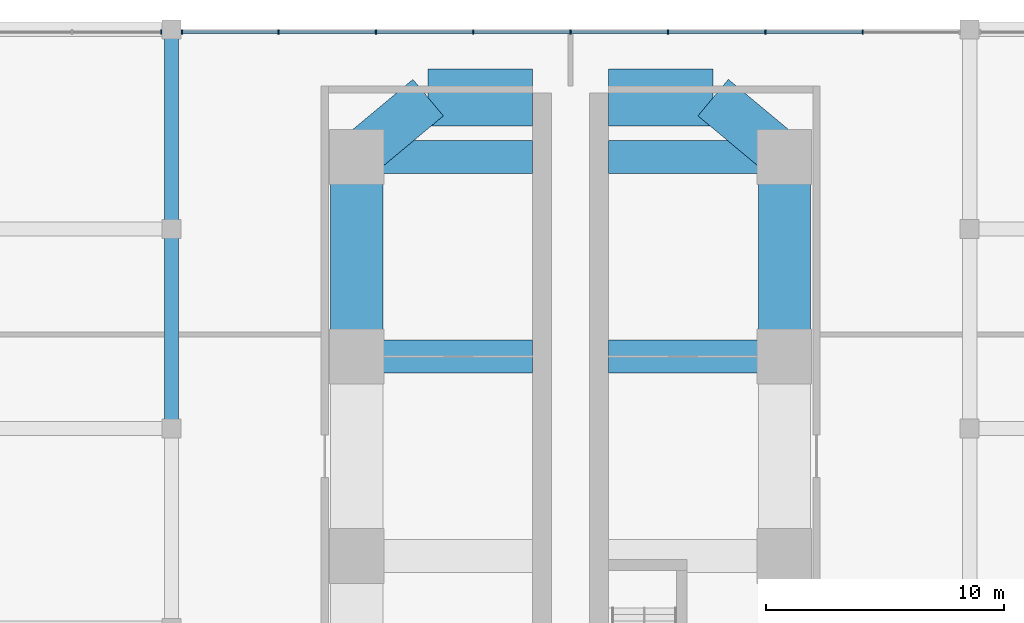
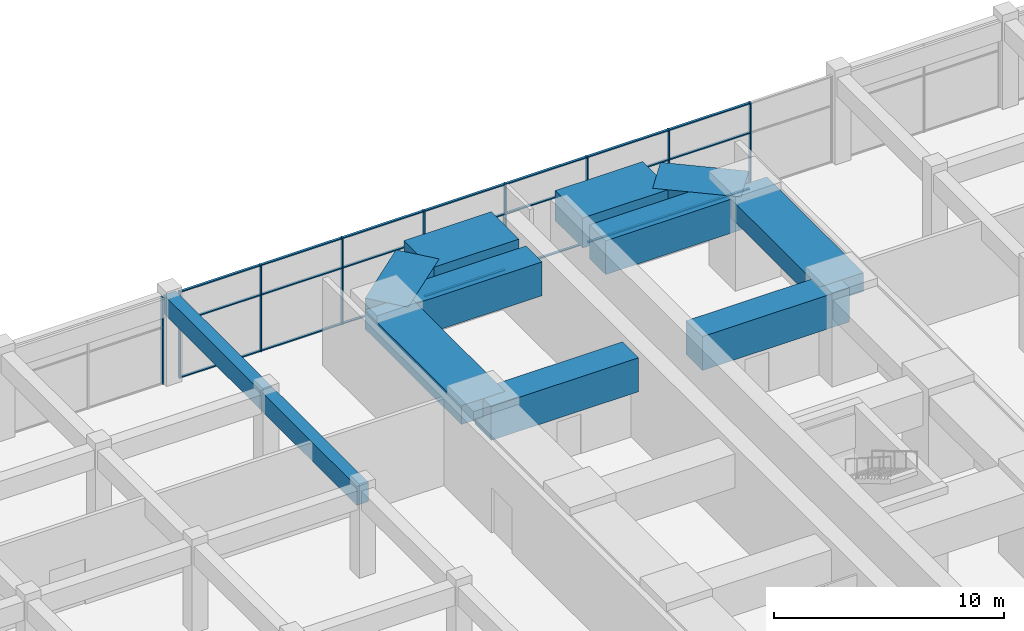
# One storey, part 20 of 33: 30 members, 12 beams, 2 elements without a shape of their own.
"""IFC4 building model written with IfcOpenShell, lengths in metres."""

from ifc_helpers import new_model, si_unit, direction, frame, origin, origin_2d, place, context, subcontext, project, spatial, rectangle, extrude, material, material_profile, profile_set, type_object, element, aggregate, save


model = new_model("IFC4")

# Units and contexts
model_context = context("Model", 3, precision=1e-05, world=origin(), true_north=direction((0.0, 1.0)))
body_context = subcontext(model_context, "Body", "Model", "MODEL_VIEW")
ifc_project = project(units=[si_unit("LENGTHUNIT", "METRE"), si_unit("AREAUNIT", "SQUARE_METRE"), si_unit("VOLUMEUNIT", "CUBIC_METRE"), si_unit("PLANEANGLEUNIT", "RADIAN"), si_unit("MASSUNIT", "GRAM", prefix="KILO")], contexts=[model_context])

# Site, building, storey
site_placement = place(None, origin())
site = spatial("IfcSite", under=ifc_project, at=site_placement, CompositionType="ELEMENT")
building_placement = place(site_placement, origin())
building = spatial("IfcBuilding", under=site, at=building_placement, Name="Impinga Residences", CompositionType="ELEMENT")
storey_placement = place(building_placement, frame((0.0, 0.0, 21.0)))
storey = spatial("IfcBuildingStorey", under=building, at=storey_placement, Name="L04", CompositionType="ELEMENT", Elevation=21.0)

# Beams
ifc_material_1 = material(Name="Concrete C60/75", Category="concrete")
ifc_material_profile_1 = material_profile(ifc_material_1, rectangle(XDim=2.0, YDim=1.60009765625, at=origin_2d()), Name="RC 2000x1600")
ifc_profile_set_1 = profile_set([ifc_material_profile_1], Name="Concrete C60/75")
beam_type_1 = type_object("IfcBeamType", Name="CB2 2000x1600 wing end cantilever beam", PredefinedType="BEAM", material=ifc_profile_set_1)
for number, where, z_axis, x_axis, name in (
    (1, (-9.0, 45.031494140625, 3.800048828125), (0.768221279597, 0.640184399664, 0.0), (-0.640184399664, 0.768221279597, 0.0), "Beam CB2 NB N5-NX level L05"),
    (2, (9.0, 45.031494140625, 3.800048828125), (-0.768221279597, 0.640184399664, 0.0), (-0.640184399664, -0.768221279597, 0.0), "Beam CB2 NE N5-NX level L05"),
):
    element("IfcBeam", number, at=place(storey_placement, frame(where, z_axis=z_axis, x_axis=x_axis)), inside=storey, type_object=beam_type_1, Name=name, PredefinedType="BEAM", context=body_context, shape_type="SweptSolid", body=[
        extrude(rectangle(XDim=2.0, YDim=1.60009765625, at=origin_2d()), origin(), (0.0, 0.0, 1.0), 3.905029296875),
    ])
ifc_material_profile_2 = material_profile(ifc_material_1, rectangle(XDim=1.39990234375, YDim=1.800048828125, at=origin_2d()), Name="RC 1400x1800")
ifc_profile_set_2 = profile_set([ifc_material_profile_2], Name="Concrete C60/75")
beam_type_2 = type_object("IfcBeamType", Name="CG4 1400x1800 cross girder on a wing bay line under the podium floors", PredefinedType="BEAM", material=ifc_profile_set_2)
for number, where, z_axis, x_axis, name in (
    (3, (-1.60009765625, 36.631591796875, 3.699951171875), (-1.0, 0.0, 0.0), (0.0, -1.0, 0.0), "Beam CG4 N4 NC/NA level L05"),
    (4, (-1.60009765625, 45.031494140625, 3.699951171875), (-1.0, 0.0, 0.0), (0.0, -1.0, 0.0), "Beam CG4 N5 NC/NA level L05"),
    (5, (1.60009765625, 36.631591796875, 3.699951171875), (1.0, 0.0, 0.0), (0.0, 1.0, 0.0), "Beam CG4 N4 NC/NF level L05"),
    (6, (1.60009765625, 45.031494140625, 3.699951171875), (1.0, 0.0, 0.0), (0.0, 1.0, 0.0), "Beam CG4 N5 NC/NF level L05"),
):
    element("IfcBeam", number, at=place(storey_placement, frame(where, z_axis=z_axis, x_axis=x_axis)), inside=storey, type_object=beam_type_2, Name=name, PredefinedType="BEAM", context=body_context, shape_type="SweptSolid", body=[
        extrude(rectangle(XDim=1.39990234375, YDim=1.800048828125, at=origin_2d()), origin(), (0.0, 0.0, 1.0), 7.39990234375),
    ])

# Curtain wall, member
ifc_material_2 = material(Name="Aluminium stick curtain wall", Category="aluminium")
curtain_wall_type = type_object("IfcCurtainWallType", Name="CW1 podium amenity curtain wall", PredefinedType="USERDEFINED", material=ifc_material_2)
curtain_wall_1_placement = place(storey_placement, origin())
curtain_wall_1 = element("IfcCurtainWall", 7, at=curtain_wall_1_placement, inside=storey, type_object=curtain_wall_type, Name="Curtain wall CW1 L04", ObjectType="STICK CURTAIN WALL", PredefinedType="USERDEFINED")
ifc_material_3 = material(Name="Aluminium mullion", Category="aluminium")
ifc_material_profile_3 = material_profile(ifc_material_3, rectangle(XDim=0.06005859375, YDim=0.179931640625, at=origin_2d()), Name="60x180 mullion")
ifc_profile_set_3 = profile_set([ifc_material_profile_3], Name="Aluminium mullion")
member_type_1 = type_object("IfcMemberType", Name="CW1-M mullion 60x180", PredefinedType="MULLION", material=ifc_profile_set_3)
member_1_placement = place(storey_placement, frame((-17.23291015625, 50.300048828125, 0.0), z_axis=(0.0, 0.0, 1.0), x_axis=(1.0, 0.0, 0.0)))
member_1 = element("IfcMember", 8, at=member_1_placement, type_object=member_type_1, Name="CW1 mullion 3", PredefinedType="MULLION", context=body_context, shape_type="SweptSolid", body=[
    extrude(rectangle(XDim=0.06005859375, YDim=0.179931640625, at=origin_2d()), origin(), (0.0, 0.0, 1.0), 4.60009765625),
])
aggregate(curtain_wall_1, [member_1])

# Curtain wall, members
curtain_wall_2_placement = place(storey_placement, origin())
curtain_wall_2 = element("IfcCurtainWall", 9, at=curtain_wall_2_placement, inside=storey, type_object=curtain_wall_type, Name="Curtain wall CW1 L04", ObjectType="STICK CURTAIN WALL", PredefinedType="USERDEFINED")
member_2_placement = place(storey_placement, frame((-16.366943359375, 50.300048828125, 0.0), z_axis=(0.0, 0.0, 1.0), x_axis=(1.0, 0.0, 0.0)))
member_2 = element("IfcMember", 10, at=member_2_placement, type_object=member_type_1, Name="CW1 mullion 1", PredefinedType="MULLION", context=body_context, shape_type="SweptSolid", body=[
    extrude(rectangle(XDim=0.06005859375, YDim=0.179931640625, at=origin_2d()), origin(), (0.0, 0.0, 1.0), 4.60009765625),
])
member_3_placement = place(storey_placement, frame((-12.2978515625, 50.300048828125, 0.0), z_axis=(0.0, 0.0, 1.0), x_axis=(1.0, 0.0, 0.0)))
member_3 = element("IfcMember", 11, at=member_3_placement, type_object=member_type_1, Name="CW1 mullion 2", PredefinedType="MULLION", context=body_context, shape_type="SweptSolid", body=[
    extrude(rectangle(XDim=0.06005859375, YDim=0.179931640625, at=origin_2d()), origin(), (0.0, 0.0, 1.0), 4.60009765625),
])
member_4_placement = place(storey_placement, frame((-8.198486328125, 50.300048828125, 0.0), z_axis=(0.0, 0.0, 1.0), x_axis=(1.0, 0.0, 0.0)))
member_4 = element("IfcMember", 12, at=member_4_placement, type_object=member_type_1, Name="CW1 mullion 3", PredefinedType="MULLION", context=body_context, shape_type="SweptSolid", body=[
    extrude(rectangle(XDim=0.06005859375, YDim=0.179931640625, at=origin_2d()), origin(), (0.0, 0.0, 1.0), 4.60009765625),
])
member_5_placement = place(storey_placement, frame((-4.099365234375, 50.300048828125, 0.0), z_axis=(0.0, 0.0, 1.0), x_axis=(1.0, 0.0, 0.0)))
member_5 = element("IfcMember", 13, at=member_5_placement, type_object=member_type_1, Name="CW1 mullion 4", PredefinedType="MULLION", context=body_context, shape_type="SweptSolid", body=[
    extrude(rectangle(XDim=0.06005859375, YDim=0.179931640625, at=origin_2d()), origin(), (0.0, 0.0, 1.0), 4.60009765625),
])
member_6_placement = place(storey_placement, frame((0.0, 50.300048828125, 0.0), z_axis=(0.0, 0.0, 1.0), x_axis=(1.0, 0.0, 0.0)))
member_6 = element("IfcMember", 14, at=member_6_placement, type_object=member_type_1, Name="CW1 mullion 5", PredefinedType="MULLION", context=body_context, shape_type="SweptSolid", body=[
    extrude(rectangle(XDim=0.06005859375, YDim=0.179931640625, at=origin_2d()), origin(), (0.0, 0.0, 1.0), 4.60009765625),
])
member_7_placement = place(storey_placement, frame((4.099365234375, 50.300048828125, 0.0), z_axis=(0.0, 0.0, 1.0), x_axis=(1.0, 0.0, 0.0)))
member_7 = element("IfcMember", 15, at=member_7_placement, type_object=member_type_1, Name="CW1 mullion 6", PredefinedType="MULLION", context=body_context, shape_type="SweptSolid", body=[
    extrude(rectangle(XDim=0.06005859375, YDim=0.179931640625, at=origin_2d()), origin(), (0.0, 0.0, 1.0), 4.60009765625),
])
member_8_placement = place(storey_placement, frame((8.198486328125, 50.300048828125, 0.0), z_axis=(0.0, 0.0, 1.0), x_axis=(1.0, 0.0, 0.0)))
member_8 = element("IfcMember", 16, at=member_8_placement, type_object=member_type_1, Name="CW1 mullion 7", PredefinedType="MULLION", context=body_context, shape_type="SweptSolid", body=[
    extrude(rectangle(XDim=0.06005859375, YDim=0.179931640625, at=origin_2d()), origin(), (0.0, 0.0, 1.0), 4.60009765625),
])
member_9_placement = place(storey_placement, frame((12.2978515625, 50.300048828125, 0.0), z_axis=(0.0, 0.0, 1.0), x_axis=(1.0, 0.0, 0.0)))
member_9 = element("IfcMember", 17, at=member_9_placement, type_object=member_type_1, Name="CW1 mullion 8", PredefinedType="MULLION", context=body_context, shape_type="SweptSolid", body=[
    extrude(rectangle(XDim=0.06005859375, YDim=0.179931640625, at=origin_2d()), origin(), (0.0, 0.0, 1.0), 4.60009765625),
])
ifc_material_4 = material(Name="Aluminium transom", Category="aluminium")
ifc_material_profile_4 = material_profile(ifc_material_4, rectangle(XDim=0.06005859375, YDim=0.1201171875, at=origin_2d()), Name="60x120 transom")
ifc_profile_set_4 = profile_set([ifc_material_profile_4], Name="Aluminium transom")
member_type_2 = type_object("IfcMemberType", Name="CW1-T transom 60x120", PredefinedType="USERDEFINED", material=ifc_profile_set_4)
member_10_placement = place(storey_placement, frame((-16.3369140625, 50.300048828125, 0.030029296875), z_axis=(1.0, 0.0, 0.0), x_axis=(0.0, 0.0, 1.0)))
member_10 = element("IfcMember", 18, at=member_10_placement, type_object=member_type_2, Name="CW1 transom 1.1", ObjectType="TRANSOM", PredefinedType="USERDEFINED", context=body_context, shape_type="SweptSolid", body=[
    extrude(rectangle(XDim=0.06005859375, YDim=0.1201171875, at=origin_2d()), origin(), (0.0, 0.0, 1.0), 4.00927734375),
])
member_11_placement = place(storey_placement, frame((-16.3369140625, 50.300048828125, 3.0), z_axis=(1.0, 0.0, 0.0), x_axis=(0.0, 0.0, 1.0)))
member_11 = element("IfcMember", 19, at=member_11_placement, type_object=member_type_2, Name="CW1 transom 1.2", ObjectType="TRANSOM", PredefinedType="USERDEFINED", context=body_context, shape_type="SweptSolid", body=[
    extrude(rectangle(XDim=0.06005859375, YDim=0.1201171875, at=origin_2d()), origin(), (0.0, 0.0, 1.0), 4.00927734375),
])
member_12_placement = place(storey_placement, frame((-16.3369140625, 50.300048828125, 4.570068359375), z_axis=(1.0, 0.0, 0.0), x_axis=(0.0, 0.0, 1.0)))
member_12 = element("IfcMember", 20, at=member_12_placement, type_object=member_type_2, Name="CW1 transom 1.3", ObjectType="TRANSOM", PredefinedType="USERDEFINED", context=body_context, shape_type="SweptSolid", body=[
    extrude(rectangle(XDim=0.06005859375, YDim=0.1201171875, at=origin_2d()), origin(), (0.0, 0.0, 1.0), 4.00927734375),
])
member_13_placement = place(storey_placement, frame((-12.267822265625, 50.300048828125, 0.030029296875), z_axis=(1.0, 0.0, 0.0), x_axis=(0.0, 0.0, 1.0)))
member_13 = element("IfcMember", 21, at=member_13_placement, type_object=member_type_2, Name="CW1 transom 2.1", ObjectType="TRANSOM", PredefinedType="USERDEFINED", context=body_context, shape_type="SweptSolid", body=[
    extrude(rectangle(XDim=0.06005859375, YDim=0.1201171875, at=origin_2d()), origin(), (0.0, 0.0, 1.0), 4.039306640625),
])
member_14_placement = place(storey_placement, frame((-12.267822265625, 50.300048828125, 3.0), z_axis=(1.0, 0.0, 0.0), x_axis=(0.0, 0.0, 1.0)))
member_14 = element("IfcMember", 22, at=member_14_placement, type_object=member_type_2, Name="CW1 transom 2.2", ObjectType="TRANSOM", PredefinedType="USERDEFINED", context=body_context, shape_type="SweptSolid", body=[
    extrude(rectangle(XDim=0.06005859375, YDim=0.1201171875, at=origin_2d()), origin(), (0.0, 0.0, 1.0), 4.039306640625),
])
member_15_placement = place(storey_placement, frame((-12.267822265625, 50.300048828125, 4.570068359375), z_axis=(1.0, 0.0, 0.0), x_axis=(0.0, 0.0, 1.0)))
member_15 = element("IfcMember", 23, at=member_15_placement, type_object=member_type_2, Name="CW1 transom 2.3", ObjectType="TRANSOM", PredefinedType="USERDEFINED", context=body_context, shape_type="SweptSolid", body=[
    extrude(rectangle(XDim=0.06005859375, YDim=0.1201171875, at=origin_2d()), origin(), (0.0, 0.0, 1.0), 4.039306640625),
])
member_16_placement = place(storey_placement, frame((-8.16845703125, 50.300048828125, 0.030029296875), z_axis=(1.0, 0.0, 0.0), x_axis=(0.0, 0.0, 1.0)))
member_16 = element("IfcMember", 24, at=member_16_placement, type_object=member_type_2, Name="CW1 transom 3.1", ObjectType="TRANSOM", PredefinedType="USERDEFINED", context=body_context, shape_type="SweptSolid", body=[
    extrude(rectangle(XDim=0.06005859375, YDim=0.1201171875, at=origin_2d()), origin(), (0.0, 0.0, 1.0), 4.039306640625),
])
member_17_placement = place(storey_placement, frame((-8.16845703125, 50.300048828125, 3.0), z_axis=(1.0, 0.0, 0.0), x_axis=(0.0, 0.0, 1.0)))
member_17 = element("IfcMember", 25, at=member_17_placement, type_object=member_type_2, Name="CW1 transom 3.2", ObjectType="TRANSOM", PredefinedType="USERDEFINED", context=body_context, shape_type="SweptSolid", body=[
    extrude(rectangle(XDim=0.06005859375, YDim=0.1201171875, at=origin_2d()), origin(), (0.0, 0.0, 1.0), 4.039306640625),
])
member_18_placement = place(storey_placement, frame((-8.16845703125, 50.300048828125, 4.570068359375), z_axis=(1.0, 0.0, 0.0), x_axis=(0.0, 0.0, 1.0)))
member_18 = element("IfcMember", 26, at=member_18_placement, type_object=member_type_2, Name="CW1 transom 3.3", ObjectType="TRANSOM", PredefinedType="USERDEFINED", context=body_context, shape_type="SweptSolid", body=[
    extrude(rectangle(XDim=0.06005859375, YDim=0.1201171875, at=origin_2d()), origin(), (0.0, 0.0, 1.0), 4.039306640625),
])
member_19_placement = place(storey_placement, frame((-4.0693359375, 50.300048828125, 0.030029296875), z_axis=(1.0, 0.0, 0.0), x_axis=(0.0, 0.0, 1.0)))
member_19 = element("IfcMember", 27, at=member_19_placement, type_object=member_type_2, Name="CW1 transom 4.1", ObjectType="TRANSOM", PredefinedType="USERDEFINED", context=body_context, shape_type="SweptSolid", body=[
    extrude(rectangle(XDim=0.06005859375, YDim=0.1201171875, at=origin_2d()), origin(), (0.0, 0.0, 1.0), 4.039306640625),
])
member_20_placement = place(storey_placement, frame((-4.0693359375, 50.300048828125, 3.0), z_axis=(1.0, 0.0, 0.0), x_axis=(0.0, 0.0, 1.0)))
member_20 = element("IfcMember", 28, at=member_20_placement, type_object=member_type_2, Name="CW1 transom 4.2", ObjectType="TRANSOM", PredefinedType="USERDEFINED", context=body_context, shape_type="SweptSolid", body=[
    extrude(rectangle(XDim=0.06005859375, YDim=0.1201171875, at=origin_2d()), origin(), (0.0, 0.0, 1.0), 4.039306640625),
])
member_21_placement = place(storey_placement, frame((-4.0693359375, 50.300048828125, 4.570068359375), z_axis=(1.0, 0.0, 0.0), x_axis=(0.0, 0.0, 1.0)))
member_21 = element("IfcMember", 29, at=member_21_placement, type_object=member_type_2, Name="CW1 transom 4.3", ObjectType="TRANSOM", PredefinedType="USERDEFINED", context=body_context, shape_type="SweptSolid", body=[
    extrude(rectangle(XDim=0.06005859375, YDim=0.1201171875, at=origin_2d()), origin(), (0.0, 0.0, 1.0), 4.039306640625),
])
member_22_placement = place(storey_placement, frame((0.030029296875, 50.300048828125, 0.030029296875), z_axis=(1.0, 0.0, 0.0), x_axis=(0.0, 0.0, 1.0)))
member_22 = element("IfcMember", 30, at=member_22_placement, type_object=member_type_2, Name="CW1 transom 5.1", ObjectType="TRANSOM", PredefinedType="USERDEFINED", context=body_context, shape_type="SweptSolid", body=[
    extrude(rectangle(XDim=0.06005859375, YDim=0.1201171875, at=origin_2d()), origin(), (0.0, 0.0, 1.0), 4.039306640625),
])
member_23_placement = place(storey_placement, frame((0.030029296875, 50.300048828125, 3.0), z_axis=(1.0, 0.0, 0.0), x_axis=(0.0, 0.0, 1.0)))
member_23 = element("IfcMember", 31, at=member_23_placement, type_object=member_type_2, Name="CW1 transom 5.2", ObjectType="TRANSOM", PredefinedType="USERDEFINED", context=body_context, shape_type="SweptSolid", body=[
    extrude(rectangle(XDim=0.06005859375, YDim=0.1201171875, at=origin_2d()), origin(), (0.0, 0.0, 1.0), 4.039306640625),
])
member_24_placement = place(storey_placement, frame((0.030029296875, 50.300048828125, 4.570068359375), z_axis=(1.0, 0.0, 0.0), x_axis=(0.0, 0.0, 1.0)))
member_24 = element("IfcMember", 32, at=member_24_placement, type_object=member_type_2, Name="CW1 transom 5.3", ObjectType="TRANSOM", PredefinedType="USERDEFINED", context=body_context, shape_type="SweptSolid", body=[
    extrude(rectangle(XDim=0.06005859375, YDim=0.1201171875, at=origin_2d()), origin(), (0.0, 0.0, 1.0), 4.039306640625),
])
member_25_placement = place(storey_placement, frame((4.129150390625, 50.300048828125, 0.030029296875), z_axis=(1.0, 0.0, 0.0), x_axis=(0.0, 0.0, 1.0)))
member_25 = element("IfcMember", 33, at=member_25_placement, type_object=member_type_2, Name="CW1 transom 6.1", ObjectType="TRANSOM", PredefinedType="USERDEFINED", context=body_context, shape_type="SweptSolid", body=[
    extrude(rectangle(XDim=0.06005859375, YDim=0.1201171875, at=origin_2d()), origin(), (0.0, 0.0, 1.0), 4.039306640625),
])
member_26_placement = place(storey_placement, frame((4.129150390625, 50.300048828125, 3.0), z_axis=(1.0, 0.0, 0.0), x_axis=(0.0, 0.0, 1.0)))
member_26 = element("IfcMember", 34, at=member_26_placement, type_object=member_type_2, Name="CW1 transom 6.2", ObjectType="TRANSOM", PredefinedType="USERDEFINED", context=body_context, shape_type="SweptSolid", body=[
    extrude(rectangle(XDim=0.06005859375, YDim=0.1201171875, at=origin_2d()), origin(), (0.0, 0.0, 1.0), 4.039306640625),
])
member_27_placement = place(storey_placement, frame((4.129150390625, 50.300048828125, 4.570068359375), z_axis=(1.0, 0.0, 0.0), x_axis=(0.0, 0.0, 1.0)))
member_27 = element("IfcMember", 35, at=member_27_placement, type_object=member_type_2, Name="CW1 transom 6.3", ObjectType="TRANSOM", PredefinedType="USERDEFINED", context=body_context, shape_type="SweptSolid", body=[
    extrude(rectangle(XDim=0.06005859375, YDim=0.1201171875, at=origin_2d()), origin(), (0.0, 0.0, 1.0), 4.039306640625),
])
member_28_placement = place(storey_placement, frame((8.228515625, 50.300048828125, 0.030029296875), z_axis=(1.0, 0.0, 0.0), x_axis=(0.0, 0.0, 1.0)))
member_28 = element("IfcMember", 36, at=member_28_placement, type_object=member_type_2, Name="CW1 transom 7.1", ObjectType="TRANSOM", PredefinedType="USERDEFINED", context=body_context, shape_type="SweptSolid", body=[
    extrude(rectangle(XDim=0.06005859375, YDim=0.1201171875, at=origin_2d()), origin(), (0.0, 0.0, 1.0), 4.039306640625),
])
member_29_placement = place(storey_placement, frame((8.228515625, 50.300048828125, 3.0), z_axis=(1.0, 0.0, 0.0), x_axis=(0.0, 0.0, 1.0)))
member_29 = element("IfcMember", 37, at=member_29_placement, type_object=member_type_2, Name="CW1 transom 7.2", ObjectType="TRANSOM", PredefinedType="USERDEFINED", context=body_context, shape_type="SweptSolid", body=[
    extrude(rectangle(XDim=0.06005859375, YDim=0.1201171875, at=origin_2d()), origin(), (0.0, 0.0, 1.0), 4.039306640625),
])
member_30_placement = place(storey_placement, frame((8.228515625, 50.300048828125, 4.570068359375), z_axis=(1.0, 0.0, 0.0), x_axis=(0.0, 0.0, 1.0)))
member_30 = element("IfcMember", 38, at=member_30_placement, type_object=member_type_2, Name="CW1 transom 7.3", ObjectType="TRANSOM", PredefinedType="USERDEFINED", context=body_context, shape_type="SweptSolid", body=[
    extrude(rectangle(XDim=0.06005859375, YDim=0.1201171875, at=origin_2d()), origin(), (0.0, 0.0, 1.0), 4.039306640625),
])
aggregate(curtain_wall_2, [member_2, member_3, member_4, member_5, member_6, member_7, member_8, member_9, member_10, member_11, member_12, member_13, member_14, member_15, member_16, member_17, member_18, member_19, member_20, member_21, member_22, member_23, member_24, member_25, member_26, member_27, member_28, member_29, member_30])

# Beams
ifc_material_profile_5 = material_profile(ifc_material_1, rectangle(XDim=2.39990234375, YDim=1.60009765625, at=origin_2d()), Name="RC 2400x1600")
ifc_profile_set_5 = profile_set([ifc_material_profile_5], Name="Concrete C60/75")
beam_type_3 = type_object("IfcBeamType", Name="EB2 2400x1600 wing end beam", PredefinedType="BEAM", material=ifc_profile_set_5)
for number, where, z_axis, x_axis, name in (
    (39, (-6.0, 47.531494140625, 3.800048828125), (1.0, 0.0, 0.0), (0.0, 1.0, 0.0), "Beam EB2 NX4 level L05"),
    (40, (1.60009765625, 47.531494140625, 3.800048828125), (1.0, 0.0, 0.0), (0.0, 1.0, 0.0), "Beam EB2 NX4 level L05"),
):
    element("IfcBeam", number, at=place(storey_placement, frame(where, z_axis=z_axis, x_axis=x_axis)), inside=storey, type_object=beam_type_3, Name=name, PredefinedType="BEAM", context=body_context, shape_type="SweptSolid", body=[
        extrude(rectangle(XDim=2.39990234375, YDim=1.60009765625, at=origin_2d()), origin(), (0.0, 0.0, 1.0), 4.39990234375),
    ])
ifc_material_profile_6 = material_profile(ifc_material_1, rectangle(XDim=0.60009765625, YDim=1.0, at=origin_2d()), Name="RC 600x1000")
ifc_profile_set_6 = profile_set([ifc_material_profile_6], Name="Concrete C60/75")
beam_type_4 = type_object("IfcBeamType", Name="PB2 600x1000 podium beam", PredefinedType="BEAM", material=ifc_profile_set_6)
for number, where, z_axis, x_axis, name in (
    (41, (-16.800048828125, 33.60009765625, 4.10009765625), (0.0, 1.0, 0.0), (-1.0, 0.0, 0.0), "Beam PB2 5/K-L level L05"),
    (42, (-16.800048828125, 42.0, 4.10009765625), (0.0, 1.0, 0.0), (-1.0, 0.0, 0.0), "Beam PB2 5/L-M level L05"),
):
    element("IfcBeam", number, at=place(storey_placement, frame(where, z_axis=z_axis, x_axis=x_axis)), inside=storey, type_object=beam_type_4, Name=name, PredefinedType="BEAM", context=body_context, shape_type="SweptSolid", body=[
        extrude(rectangle(XDim=0.60009765625, YDim=1.0, at=origin_2d()), origin(), (0.0, 0.0, 1.0), 8.39990234375),
    ])
ifc_material_profile_7 = material_profile(ifc_material_1, rectangle(XDim=2.199951171875, YDim=1.0, at=origin_2d()), Name="RC 2200x1000")
ifc_profile_set_7 = profile_set([ifc_material_profile_7], Name="Concrete C60/75")
beam_type_5 = type_object("IfcBeamType", Name="PB3 2200x1000 podium band beam", PredefinedType="BEAM", material=ifc_profile_set_7)
for number, where, z_axis, x_axis, name in (
    (43, (-9.0, 36.631591796875, 4.10009765625), (0.0, 1.0, 0.0), (-1.0, 0.0, 0.0), "Beam PB3 NA N4-N5 level L05"),
    (44, (9.0, 36.631591796875, 4.10009765625), (0.0, 1.0, 0.0), (-1.0, 0.0, 0.0), "Beam PB3 NF N4-N5 level L05"),
):
    element("IfcBeam", number, at=place(storey_placement, frame(where, z_axis=z_axis, x_axis=x_axis)), inside=storey, type_object=beam_type_5, Name=name, PredefinedType="BEAM", context=body_context, shape_type="SweptSolid", body=[
        extrude(rectangle(XDim=2.199951171875, YDim=1.0, at=origin_2d()), origin(), (0.0, 0.0, 1.0), 8.39990234375),
    ])

save(model, "model.ifc")
